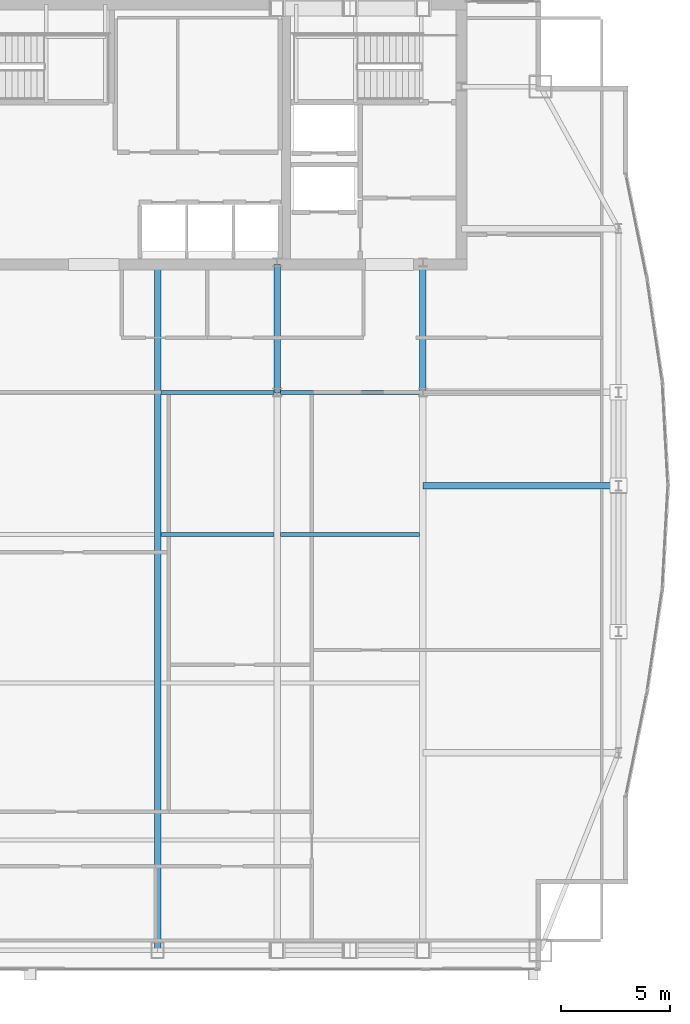
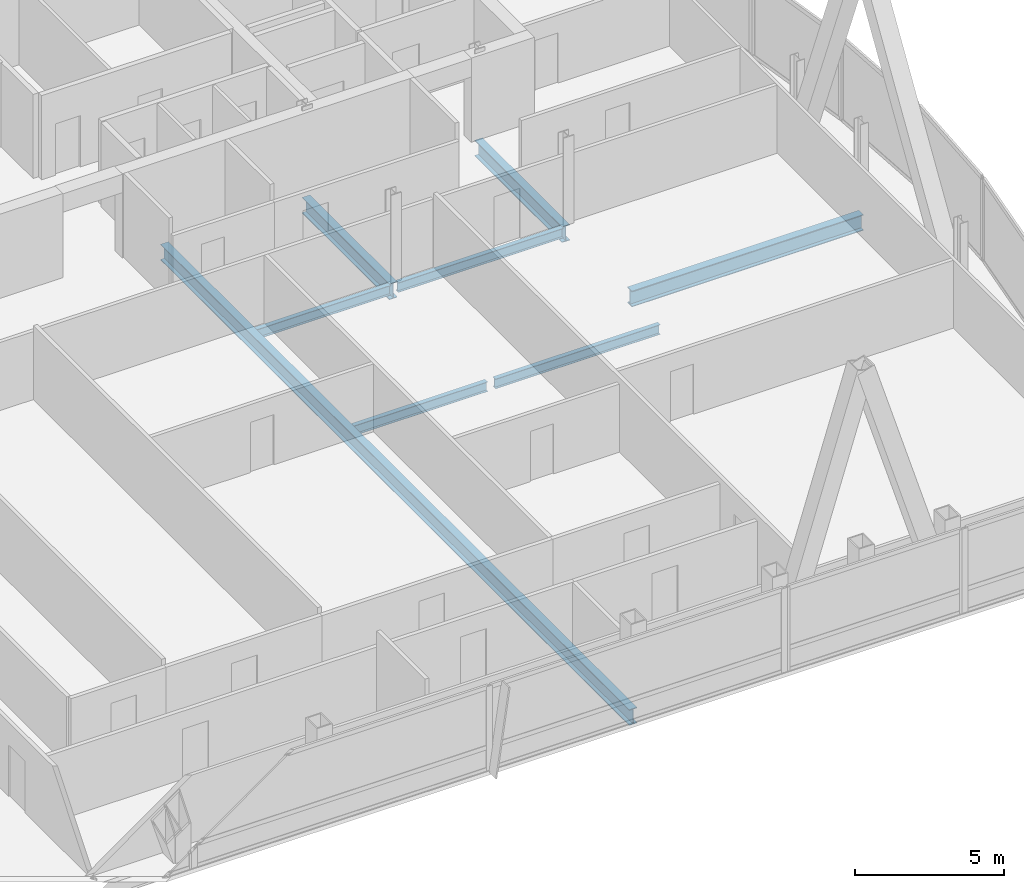
# One storey, part 17 of 31: 8 beams.
"""IFC4 building model written with IfcOpenShell, lengths in metres."""

from ifc_helpers import new_model, si_unit, direction, frame, origin, origin_2d, place, context, subcontext, project, spatial, i_section, extrude, material, material_profile, profile_set, type_object, element, save


model = new_model("IFC4")

# Units and contexts
model_context = context("Model", 3, precision=1e-05, world=origin(), true_north=direction((0.0, 1.0)))
body_context = subcontext(model_context, "Body", "Model", "MODEL_VIEW")
ifc_project = project(units=[si_unit("LENGTHUNIT", "METRE"), si_unit("AREAUNIT", "SQUARE_METRE"), si_unit("VOLUMEUNIT", "CUBIC_METRE"), si_unit("PLANEANGLEUNIT", "RADIAN"), si_unit("MASSUNIT", "GRAM", prefix="KILO")], contexts=[model_context])

# Site, building, storey
site_placement = place(None, origin())
site = spatial("IfcSite", under=ifc_project, at=site_placement, CompositionType="ELEMENT")
building_placement = place(site_placement, origin())
building = spatial("IfcBuilding", under=site, at=building_placement, Name="Khoronbel Lancet Exchange", CompositionType="ELEMENT")
storey_placement = place(building_placement, frame((0.0, 0.0, 273.39990234375)))
storey = spatial("IfcBuildingStorey", under=building, at=storey_placement, Name="L70", CompositionType="ELEMENT", Elevation=273.39990234375)

# Beams
ifc_material = material(Name="Steel S355", Category="steel")
ifc_material_profile_1 = material_profile(ifc_material, i_section(OverallWidth=0.300048828125, OverallDepth=0.64990234375, WebThickness=0.01611328125, FlangeThickness=0.031005859375, at=origin_2d()), Name="HEB 650")
ifc_profile_set_1 = profile_set([ifc_material_profile_1], Name="Steel S355")
beam_type_1 = type_object("IfcBeamType", Name="BM-BG4", PredefinedType="BEAM", material=ifc_profile_set_1)
beam_1_placement = place(storey_placement, frame((42.52490234375, 10.14990234375, -0.48486328125), z_axis=(0.0, 1.0, 0.0), x_axis=(-1.0, 0.0, 0.0)))
element("IfcBeam", 1, at=beam_1_placement, inside=storey, type_object=beam_type_1, Name="Level L70 primary floor girder G4", PredefinedType="BEAM", context=body_context, shape_type="SweptSolid", body=[
    extrude(i_section(OverallWidth=0.300048828125, OverallDepth=0.64990234375, WebThickness=0.01611328125, FlangeThickness=0.031005859375, at=origin_2d()), origin(), (0.0, 0.0, 1.0), 31.400146484375),
])
for number, where, z_axis, x_axis, name in (
    (2, (48.0, 35.699951171875, -0.48486328125), (0.0, 1.0, 0.0), (-1.0, 0.0, 0.0), "Level L70 spine tie girder GN5"),
    (3, (54.675048828125, 35.699951171875, -0.48486328125), (0.0, 1.0, 0.0), (-1.0, 0.0, 0.0), "Level L70 spine tie girder GN6"),
):
    element("IfcBeam", number, at=place(storey_placement, frame(where, z_axis=z_axis, x_axis=x_axis)), inside=storey, type_object=beam_type_1, Name=name, PredefinedType="BEAM", context=body_context, shape_type="SweptSolid", body=[
        extrude(i_section(OverallWidth=0.300048828125, OverallDepth=0.64990234375, WebThickness=0.01611328125, FlangeThickness=0.031005859375, at=origin_2d()), origin(), (0.0, 0.0, 1.0), 5.85009765625),
    ])
beam_2_placement = place(storey_placement, frame((54.675048828125, 31.425048828125, -0.48486328125), z_axis=(1.0, 0.0, 0.0), x_axis=(0.0, 1.0, 0.0)))
element("IfcBeam", 4, at=beam_2_placement, inside=storey, type_object=beam_type_1, Name="Level L70 east lens tie girder LG2E", PredefinedType="BEAM", context=body_context, shape_type="SweptSolid", body=[
    extrude(i_section(OverallWidth=0.300048828125, OverallDepth=0.64990234375, WebThickness=0.01611328125, FlangeThickness=0.031005859375, at=origin_2d()), origin(), (0.0, 0.0, 1.0), 8.954833984375),
])
ifc_material_profile_2 = material_profile(ifc_material, i_section(OverallWidth=0.179931640625, OverallDepth=0.39990234375, WebThickness=0.008544921875, FlangeThickness=0.013427734375, at=origin_2d()), Name="IPE 400")
ifc_profile_set_2 = profile_set([ifc_material_profile_2], Name="Steel S355")
beam_type_2 = type_object("IfcBeamType", Name="BM-BJ5", PredefinedType="JOIST", material=ifc_profile_set_2)
beam_3_placement = place(storey_placement, frame((42.675048828125, 29.199951171875, -0.35986328125), z_axis=(1.0, 0.0, 0.0), x_axis=(0.0, 1.0, 0.0)))
element("IfcBeam", 5, at=beam_3_placement, inside=storey, type_object=beam_type_2, Name="Level L70 secondary composite joist J14", PredefinedType="JOIST", context=body_context, shape_type="SweptSolid", body=[
    extrude(i_section(OverallWidth=0.179931640625, OverallDepth=0.39990234375, WebThickness=0.008544921875, FlangeThickness=0.013427734375, at=origin_2d()), origin(), (0.0, 0.0, 1.0), 5.175048828125),
])
beam_4_placement = place(storey_placement, frame((48.14990234375, 29.199951171875, -0.35986328125), z_axis=(1.0, 0.0, 0.0), x_axis=(0.0, 1.0, 0.0)))
element("IfcBeam", 6, at=beam_4_placement, inside=storey, type_object=beam_type_2, Name="Level L70 secondary composite joist J15", PredefinedType="JOIST", context=body_context, shape_type="SweptSolid", body=[
    extrude(i_section(OverallWidth=0.179931640625, OverallDepth=0.39990234375, WebThickness=0.008544921875, FlangeThickness=0.013427734375, at=origin_2d()), origin(), (0.0, 0.0, 1.0), 6.375),
])
beam_5_placement = place(storey_placement, frame((42.675048828125, 35.699951171875, -0.35986328125), z_axis=(1.0, 0.0, 0.0), x_axis=(0.0, 1.0, 0.0)))
element("IfcBeam", 7, at=beam_5_placement, inside=storey, type_object=beam_type_2, Name="Level L70 secondary composite joist J19", PredefinedType="JOIST", context=body_context, shape_type="SweptSolid", body=[
    extrude(i_section(OverallWidth=0.179931640625, OverallDepth=0.39990234375, WebThickness=0.008544921875, FlangeThickness=0.013427734375, at=origin_2d()), origin(), (0.0, 0.0, 1.0), 5.175048828125),
])
beam_6_placement = place(storey_placement, frame((48.14990234375, 35.699951171875, -0.35986328125), z_axis=(1.0, 0.0, 0.0), x_axis=(0.0, 1.0, 0.0)))
element("IfcBeam", 8, at=beam_6_placement, inside=storey, type_object=beam_type_2, Name="Level L70 secondary composite joist J20", PredefinedType="JOIST", context=body_context, shape_type="SweptSolid", body=[
    extrude(i_section(OverallWidth=0.179931640625, OverallDepth=0.39990234375, WebThickness=0.008544921875, FlangeThickness=0.013427734375, at=origin_2d()), origin(), (0.0, 0.0, 1.0), 6.375),
])

save(model, "model.ifc")
